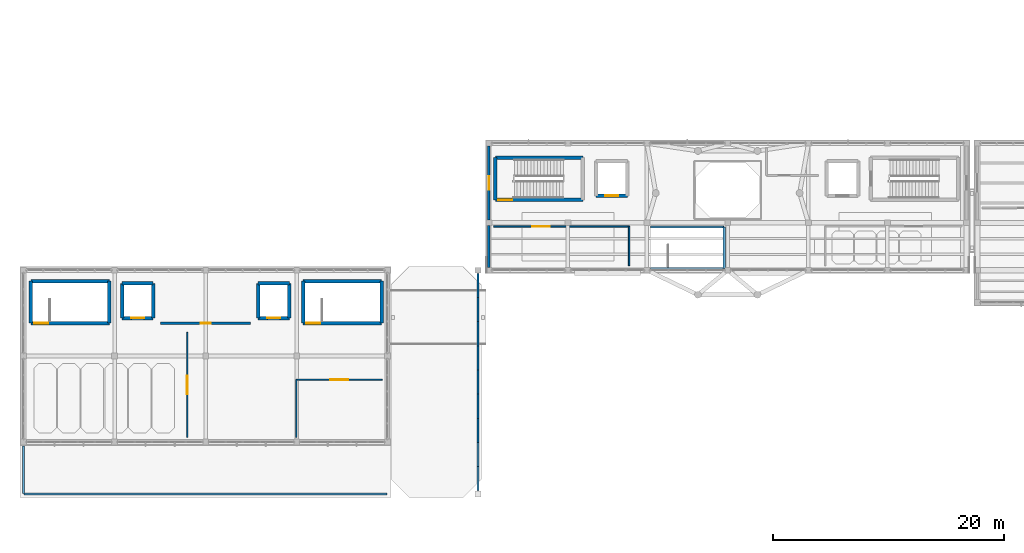
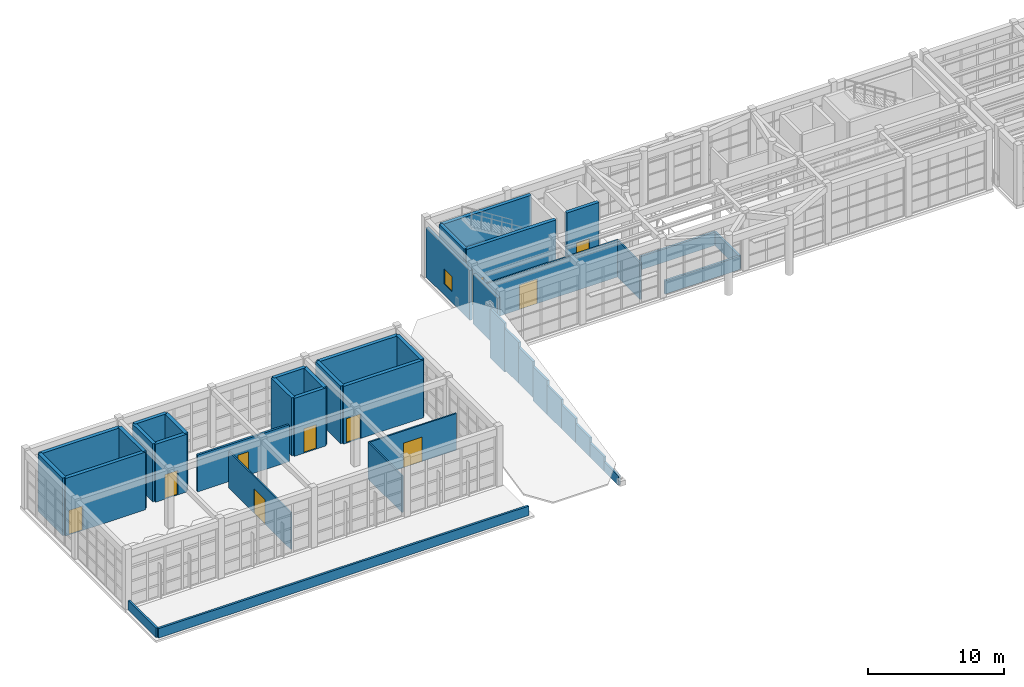
# One storey, part 90 of 103: 42 walls, 10 doors, 1 window, 11 openings.
"""IFC4 building model written with IfcOpenShell, lengths in metres."""

from ifc_helpers import new_model, si_unit, direction, frame, frame_2d, origin, place, context, subcontext, project, spatial, rectangle, extrude, material, layer, layer_set, type_object, element, fill, save


model = new_model("IFC4")

# Units and contexts
model_context = context("Model", 3, precision=1e-05, world=origin(), true_north=direction((0.0, 1.0)))
body_context = subcontext(model_context, "Body", "Model", "MODEL_VIEW")
ifc_project = project(units=[si_unit("LENGTHUNIT", "METRE"), si_unit("AREAUNIT", "SQUARE_METRE"), si_unit("VOLUMEUNIT", "CUBIC_METRE"), si_unit("PLANEANGLEUNIT", "RADIAN"), si_unit("MASSUNIT", "GRAM", prefix="KILO")], contexts=[model_context])

# Site, building, storey
site_placement = place(None, origin())
site = spatial("IfcSite", under=ifc_project, at=site_placement, CompositionType="ELEMENT")
building_placement = place(site_placement, origin())
building = spatial("IfcBuilding", under=site, at=building_placement, Name="Candilejo Ridge Gondola Terminal", CompositionType="ELEMENT")
storey_placement = place(building_placement, frame((0.0, 0.0, 9.0)))
storey = spatial("IfcBuildingStorey", under=building, at=storey_placement, Name="L02", CompositionType="ELEMENT", Elevation=9.0)

# Wall
ifc_material_1 = material(Name="Concrete C20/25 masonry blockwork (f'm 14 MPa)", Category="masonry")
ifc_layer_1 = layer(ifc_material_1, 0.219970703125)
ifc_layer_set_1 = layer_set([ifc_layer_1], Name="ARC-EXT-WALL-220")
wall_type_1 = type_object("IfcWallType", Name="ARC-EXT-WALL-220", PredefinedType="STANDARD", material=ifc_layer_set_1)
wall_1_placement = place(storey_placement, frame((44.64990234375, 25.949951171875, 0.0), z_axis=(0.0, 0.0, 1.0), x_axis=(0.0, 1.0, 0.0)))
element("IfcWall", 1, at=wall_1_placement, inside=storey, type_object=wall_type_1, Name="Exterior facade wall EW-V2-L02-044", PredefinedType="STANDARD", context=body_context, shape_type="SweptSolid", body=[
    extrude(rectangle(XDim=3.60009765625, YDim=0.219970703125, at=frame_2d((1.800048828125, 0.0))), origin(), (0.0, 0.0, 1.0), 4.47998046875),
])

# Wall, opening, window
wall_2_placement = place(storey_placement, frame((44.64990234375, 30.050048828125, 0.0), z_axis=(0.0, 0.0, 1.0), x_axis=(0.0, 1.0, 0.0)))
wall_2 = element("IfcWall", 2, at=wall_2_placement, inside=storey, type_object=wall_type_1, Name="Exterior facade wall EW-V2-L02-045", PredefinedType="STANDARD", context=body_context, shape_type="SweptSolid", body=[
    extrude(rectangle(XDim=6.39990234375, YDim=0.219970703125, at=frame_2d((3.199951171875, 0.0))), origin(), (0.0, 0.0, 1.0), 4.47998046875),
])
opening_1_placement = place(wall_2_placement, frame((2.60009765625, 0.0, 1.0)))
opening_1 = element("IfcOpeningElement", 3, at=opening_1_placement, cuts=wall_2, Name="Opening WN-04", PredefinedType="OPENING", context=body_context, shape_type="SweptSolid", body=[
    extrude(rectangle(XDim=1.199951171875, YDim=1.35009765625, at=frame_2d((0.60009765625, 0.675048828125))), frame((0.0, 0.119873046875, 0.0), z_axis=(0.0, -1.0, 0.0), x_axis=(1.0, 0.0, 0.0)), (0.0, 0.0, 1.0), 0.239990234375),
])
ifc_material_2 = material(Name="Low-E laminated double glazing 6+12A+6+1.52PVB+6 mm", Category="glass")
window_type = type_object("IfcWindowType", Name="ARC-WIN-1200X1350", PartitioningType="SINGLE_PANEL", PredefinedType="WINDOW", material=ifc_material_2)
window_placement = place(opening_1_placement, origin())
window = element("IfcWindow", 4, at=window_placement, inside=storey, type_object=window_type, Name="Window WIN-019", OverallHeight=1.35009765625, OverallWidth=1.199951171875, PartitioningType="SINGLE_PANEL", PredefinedType="WINDOW", context=body_context, shape_type="SweptSolid", body=[
    extrude(rectangle(XDim=1.199951171875, YDim=1.35009765625, at=frame_2d((0.60009765625, 0.675048828125))), frame((0.0, 0.030029296875, 0.0), z_axis=(0.0, -1.0, 0.0), x_axis=(1.0, 0.0, 0.0)), (0.0, 0.0, 1.0), 0.06005859375),
])
fill(opening_1, window)

# Walls
ifc_material_3 = material(Name="Concrete f'c 35 MPa (C35/45)", Category="concrete")
ifc_layer_2 = layer(ifc_material_3, 0.179931640625)
ifc_layer_set_2 = layer_set([ifc_layer_2], Name="ARC-PARAPET-WALL-180")
wall_type_2 = type_object("IfcWallType", Name="ARC-PARAPET-WALL-180", PredefinedType="PARAPET", material=ifc_layer_set_2)
wall_3_placement = place(storey_placement, frame((43.699951171875, 6.580078125, -0.25), z_axis=(0.0, 0.0, 1.0), x_axis=(0.0, 1.0, 0.0)))
element("IfcWall", 5, at=wall_3_placement, inside=storey, type_object=wall_type_2, Name="Roof perimeter gable/spandrel wall L02-021", PredefinedType="PARAPET", context=body_context, shape_type="SweptSolid", body=[
    extrude(rectangle(XDim=2.09326171875, YDim=0.179931640625, at=frame_2d((1.046630859375, 0.0))), origin(), (0.0, 0.0, 1.0), 0.834716796875),
])
wall_4_placement = place(storey_placement, frame((43.699951171875, 8.67333984375, -0.25), z_axis=(0.0, 0.0, 1.0), x_axis=(0.0, 1.0, 0.0)))
element("IfcWall", 6, at=wall_4_placement, inside=storey, type_object=wall_type_2, Name="Roof perimeter gable/spandrel wall L02-022", PredefinedType="PARAPET", context=body_context, shape_type="SweptSolid", body=[
    extrude(rectangle(XDim=2.09326171875, YDim=0.179931640625, at=frame_2d((1.046630859375, 0.0))), origin(), (0.0, 0.0, 1.0), 1.279541015625),
])
wall_5_placement = place(storey_placement, frame((43.699951171875, 10.7666015625, -0.25), z_axis=(0.0, 0.0, 1.0), x_axis=(0.0, 1.0, 0.0)))
element("IfcWall", 7, at=wall_5_placement, inside=storey, type_object=wall_type_2, Name="Roof perimeter gable/spandrel wall L02-023", PredefinedType="PARAPET", context=body_context, shape_type="SweptSolid", body=[
    extrude(rectangle(XDim=2.093505859375, YDim=0.179931640625, at=frame_2d((1.046875, 0.0))), origin(), (0.0, 0.0, 1.0), 1.724609375),
])
wall_6_placement = place(storey_placement, frame((43.699951171875, 12.860107421875, -0.25), z_axis=(0.0, 0.0, 1.0), x_axis=(0.0, 1.0, 0.0)))
element("IfcWall", 8, at=wall_6_placement, inside=storey, type_object=wall_type_2, Name="Roof perimeter gable/spandrel wall L02-024", PredefinedType="PARAPET", context=body_context, shape_type="SweptSolid", body=[
    extrude(rectangle(XDim=2.09326171875, YDim=0.179931640625, at=frame_2d((1.046630859375, 0.0))), origin(), (0.0, 0.0, 1.0), 2.16943359375),
])
wall_7_placement = place(storey_placement, frame((43.699951171875, 14.953369140625, -0.25), z_axis=(0.0, 0.0, 1.0), x_axis=(0.0, 1.0, 0.0)))
element("IfcWall", 9, at=wall_7_placement, inside=storey, type_object=wall_type_2, Name="Roof perimeter gable/spandrel wall L02-025", PredefinedType="PARAPET", context=body_context, shape_type="SweptSolid", body=[
    extrude(rectangle(XDim=2.09326171875, YDim=0.179931640625, at=frame_2d((1.046630859375, 0.0))), origin(), (0.0, 0.0, 1.0), 2.614501953125),
])
wall_8_placement = place(storey_placement, frame((43.699951171875, 17.046630859375, -0.25), z_axis=(0.0, 0.0, 1.0), x_axis=(0.0, 1.0, 0.0)))
element("IfcWall", 10, at=wall_8_placement, inside=storey, type_object=wall_type_2, Name="Roof perimeter gable/spandrel wall L02-026", PredefinedType="PARAPET", context=body_context, shape_type="SweptSolid", body=[
    extrude(rectangle(XDim=2.09326171875, YDim=0.179931640625, at=frame_2d((1.046630859375, 0.0))), origin(), (0.0, 0.0, 1.0), 3.059326171875),
])
wall_9_placement = place(storey_placement, frame((43.699951171875, 19.139892578125, 0.0), z_axis=(0.0, 0.0, 1.0), x_axis=(0.0, 1.0, 0.0)))
element("IfcWall", 11, at=wall_9_placement, inside=storey, type_object=wall_type_2, Name="Roof perimeter gable/spandrel wall L02-027", PredefinedType="PARAPET", context=body_context, shape_type="SweptSolid", body=[
    extrude(rectangle(XDim=2.093505859375, YDim=0.179931640625, at=frame_2d((1.046875, 0.0))), origin(), (0.0, 0.0, 1.0), 3.25439453125),
])
wall_10_placement = place(storey_placement, frame((43.699951171875, 21.2333984375, 0.0), z_axis=(0.0, 0.0, 1.0), x_axis=(0.0, 1.0, 0.0)))
element("IfcWall", 12, at=wall_10_placement, inside=storey, type_object=wall_type_2, Name="Roof perimeter gable/spandrel wall L02-028", PredefinedType="PARAPET", context=body_context, shape_type="SweptSolid", body=[
    extrude(rectangle(XDim=2.09326171875, YDim=0.179931640625, at=frame_2d((1.046630859375, 0.0))), origin(), (0.0, 0.0, 1.0), 3.69921875),
])
wall_11_placement = place(storey_placement, frame((43.699951171875, 23.32666015625, -0.25), z_axis=(0.0, 0.0, 1.0), x_axis=(0.0, 1.0, 0.0)))
element("IfcWall", 13, at=wall_11_placement, inside=storey, type_object=wall_type_2, Name="Roof perimeter gable/spandrel wall L02-029", PredefinedType="PARAPET", context=body_context, shape_type="SweptSolid", body=[
    extrude(rectangle(XDim=2.09326171875, YDim=0.179931640625, at=frame_2d((1.046630859375, 0.0))), origin(), (0.0, 0.0, 1.0), 4.394287109375),
])
wall_12_placement = place(storey_placement, frame((4.35009765625, 6.300048828125, 0.0), z_axis=(0.0, 0.0, 1.0), x_axis=(1.0, 0.0, 0.0)))
element("IfcWall", 14, at=wall_12_placement, inside=storey, type_object=wall_type_2, Name="Roof perimeter gable/spandrel wall L02-174", PredefinedType="PARAPET", context=body_context, shape_type="SweptSolid", body=[
    extrude(rectangle(XDim=31.449951171875, YDim=0.179931640625, at=frame_2d((15.72509765625, 0.0))), origin(), (0.0, 0.0, 1.0), 0.85009765625),
])
wall_13_placement = place(storey_placement, frame((4.300048828125, 6.35009765625, 0.0), z_axis=(0.0, 0.0, 1.0), x_axis=(0.0, 1.0, 0.0)))
element("IfcWall", 15, at=wall_13_placement, inside=storey, type_object=wall_type_2, Name="Roof perimeter gable/spandrel wall L02-175", PredefinedType="PARAPET", context=body_context, shape_type="SweptSolid", body=[
    extrude(rectangle(XDim=4.099853515625, YDim=0.179931640625, at=frame_2d((2.0498046875, 0.0))), origin(), (0.0, 0.0, 1.0), 0.85009765625),
])
wall_14_placement = place(storey_placement, frame((58.64990234375, 25.85009765625, 0.0), z_axis=(0.0, 0.0, 1.0), x_axis=(1.0, 0.0, 0.0)))
element("IfcWall", 16, at=wall_14_placement, inside=storey, type_object=wall_type_2, Name="Public stair enclosure wall ST-P02 L02-S", PredefinedType="PARAPET", context=body_context, shape_type="SweptSolid", body=[
    extrude(rectangle(XDim=6.400146484375, YDim=0.179931640625, at=frame_2d((3.2001953125, 0.0))), origin(), (0.0, 0.0, 1.0), 1.199951171875),
])
wall_15_placement = place(storey_placement, frame((65.050048828125, 25.85009765625, 0.0), z_axis=(0.0, 0.0, 1.0), x_axis=(0.0, 1.0, 0.0)))
element("IfcWall", 17, at=wall_15_placement, inside=storey, type_object=wall_type_2, Name="Public stair enclosure wall ST-P02 L02-E", PredefinedType="PARAPET", context=body_context, shape_type="SweptSolid", body=[
    extrude(rectangle(XDim=3.599853515625, YDim=0.179931640625, at=frame_2d((1.7998046875, 0.0))), origin(), (0.0, 0.0, 1.0), 1.199951171875),
])
wall_16_placement = place(storey_placement, frame((58.64990234375, 29.449951171875, 0.0), z_axis=(0.0, 0.0, 1.0), x_axis=(1.0, 0.0, 0.0)))
element("IfcWall", 18, at=wall_16_placement, inside=storey, type_object=wall_type_2, Name="Public stair enclosure wall ST-P02 L02-N", PredefinedType="PARAPET", context=body_context, shape_type="SweptSolid", body=[
    extrude(rectangle(XDim=6.400146484375, YDim=0.179931640625, at=frame_2d((3.2001953125, 0.0))), origin(), (0.0, 0.0, 1.0), 1.199951171875),
])

# Wall, opening, door
ifc_material_4 = material(Name="Gypsum board Type X acoustic partition (2x15.9 mm)", Category="gypsum")
ifc_layer_3 = layer(ifc_material_4, 0.125)
ifc_layer_set_3 = layer_set([ifc_layer_3], Name="ARC-PART-GYP125")
wall_type_3 = type_object("IfcWallType", Name="ARC-PART-GYP125", PredefinedType="PARTITIONING", material=ifc_layer_set_3)
wall_17_placement = place(storey_placement, frame((18.5, 11.199951171875, 0.0), z_axis=(0.0, 0.0, 1.0), x_axis=(0.0, 1.0, 0.0)))
wall_17 = element("IfcWall", 19, at=wall_17_placement, inside=storey, type_object=wall_type_3, Name="Interior partition PT-V1-L02-0071", PredefinedType="PARTITIONING", context=body_context, shape_type="SweptSolid", body=[
    extrude(rectangle(XDim=9.10009765625, YDim=0.125, at=frame_2d((4.550048828125, 0.0))), origin(), (0.0, 0.0, 1.0), 3.300048828125),
])
opening_2_placement = place(wall_17_placement, frame((3.75, 0.0, 0.0)))
opening_2 = element("IfcOpeningElement", 20, at=opening_2_placement, cuts=wall_17, Name="Opening ID-03", PredefinedType="OPENING", context=body_context, shape_type="SweptSolid", body=[
    extrude(rectangle(XDim=1.60009765625, YDim=2.199951171875, at=frame_2d((0.800048828125, 1.10009765625))), frame((0.0, 0.072509765625, 0.0), z_axis=(0.0, -1.0, 0.0), x_axis=(1.0, 0.0, 0.0)), (0.0, 0.0, 1.0), 0.14501953125),
])
ifc_material_5 = material(Name="Solid-core fire-rated hardwood door leaf", Category="wood")
door_type_1 = type_object("IfcDoorType", Name="ARC-DOOR-DBL-1600", OperationType="NOTDEFINED", PredefinedType="DOOR", material=ifc_material_5)
door_1_placement = place(opening_2_placement, origin())
door_1 = element("IfcDoor", 21, at=door_1_placement, inside=storey, type_object=door_type_1, Name="Interior door IDR-0040 (201)", OperationType="DOUBLE_DOOR_SINGLE_SWING", OverallHeight=2.199951171875, OverallWidth=1.60009765625, PredefinedType="DOOR", context=body_context, shape_type="SweptSolid", body=[
    extrude(rectangle(XDim=1.60009765625, YDim=2.199951171875, at=frame_2d((0.800048828125, 1.10009765625))), frame((0.0, 0.02490234375, 0.0), z_axis=(0.0, -1.0, 0.0), x_axis=(1.0, 0.0, 0.0)), (0.0, 0.0, 1.0), 0.050048828125),
])
fill(opening_2, door_1)

wall_18_placement = place(storey_placement, frame((27.949951171875, 16.199951171875, 0.0), z_axis=(0.0, 0.0, 1.0), x_axis=(1.0, 0.0, 0.0)))
wall_18 = element("IfcWall", 22, at=wall_18_placement, inside=storey, type_object=wall_type_3, Name="Interior partition PT-V1-L02-0072", PredefinedType="PARTITIONING", context=body_context, shape_type="SweptSolid", body=[
    extrude(rectangle(XDim=7.449951171875, YDim=0.125, at=frame_2d((3.72509765625, 0.0))), origin(), (0.0, 0.0, 1.0), 3.300048828125),
])
opening_3_placement = place(wall_18_placement, frame((2.925048828125, 0.0, 0.0)))
opening_3 = element("IfcOpeningElement", 23, at=opening_3_placement, cuts=wall_18, Name="Opening ID-03", PredefinedType="OPENING", context=body_context, shape_type="SweptSolid", body=[
    extrude(rectangle(XDim=1.60009765625, YDim=2.199951171875, at=frame_2d((0.800048828125, 1.10009765625))), frame((0.0, 0.072509765625, 0.0), z_axis=(0.0, -1.0, 0.0), x_axis=(1.0, 0.0, 0.0)), (0.0, 0.0, 1.0), 0.14501953125),
])
door_2_placement = place(opening_3_placement, origin())
door_2 = element("IfcDoor", 24, at=door_2_placement, inside=storey, type_object=door_type_1, Name="Interior door IDR-0041 (203)", OperationType="DOUBLE_DOOR_SINGLE_SWING", OverallHeight=2.199951171875, OverallWidth=1.60009765625, PredefinedType="DOOR", context=body_context, shape_type="SweptSolid", body=[
    extrude(rectangle(XDim=1.60009765625, YDim=2.199951171875, at=frame_2d((0.800048828125, 1.10009765625))), frame((0.0, 0.02490234375, 0.0), z_axis=(0.0, -1.0, 0.0), x_axis=(1.0, 0.0, 0.0)), (0.0, 0.0, 1.0), 0.050048828125),
])
fill(opening_3, door_2)

# Wall
wall_19_placement = place(storey_placement, frame((27.949951171875, 11.199951171875, 0.0), z_axis=(0.0, 0.0, 1.0), x_axis=(0.0, 1.0, 0.0)))
element("IfcWall", 25, at=wall_19_placement, inside=storey, type_object=wall_type_3, Name="Interior partition PT-V1-L02-0073", PredefinedType="PARTITIONING", context=body_context, shape_type="SweptSolid", body=[
    extrude(rectangle(XDim=5.0, YDim=0.125, at=frame_2d((2.5, 0.0))), origin(), (0.0, 0.0, 1.0), 3.300048828125),
])

# Wall, opening, door
ifc_material_6 = material(Name="Gypsum board Type X acoustic partition (2x15.9 mm)", Category="gypsum")
ifc_layer_4 = layer(ifc_material_6, 0.135009765625)
ifc_layer_set_4 = layer_set([ifc_layer_4], Name="ARC-PART-GYP135")
wall_type_4 = type_object("IfcWallType", Name="ARC-PART-GYP135", PredefinedType="PARTITIONING", material=ifc_layer_set_4)
wall_20_placement = place(storey_placement, frame((45.050048828125, 29.5, 0.0), z_axis=(0.0, 0.0, 1.0), x_axis=(1.0, 0.0, 0.0)))
wall_20 = element("IfcWall", 26, at=wall_20_placement, inside=storey, type_object=wall_type_4, Name="Interior partition PT-V2-L02-0075", PredefinedType="PARTITIONING", context=body_context, shape_type="SweptSolid", body=[
    extrude(rectangle(XDim=11.75, YDim=0.135009765625, at=frame_2d((5.875, 0.0))), origin(), (0.0, 0.0, 1.0), 3.300048828125),
])
opening_4_placement = place(wall_20_placement, frame((3.375, 0.0, 0.0)))
opening_4 = element("IfcOpeningElement", 27, at=opening_4_placement, cuts=wall_20, Name="Opening ID-03B", PredefinedType="OPENING", context=body_context, shape_type="SweptSolid", body=[
    extrude(rectangle(XDim=1.5, YDim=2.199951171875, at=frame_2d((0.75, 1.10009765625))), frame((0.0, 0.077392578125, 0.0), z_axis=(0.0, -1.0, 0.0), x_axis=(1.0, 0.0, 0.0)), (0.0, 0.0, 1.0), 0.155029296875),
])
ifc_material_7 = material(Name="Solid-core fire-rated hardwood door leaf", Category="wood")
door_type_2 = type_object("IfcDoorType", Name="ARC-DOOR-DBL-1500", OperationType="NOTDEFINED", PredefinedType="DOOR", material=ifc_material_7)
door_3_placement = place(opening_4_placement, origin())
door_3 = element("IfcDoor", 28, at=door_3_placement, inside=storey, type_object=door_type_2, Name="Interior door IDR-0043 (205)", OperationType="DOUBLE_DOOR_SINGLE_SWING", OverallHeight=2.199951171875, OverallWidth=1.5, PredefinedType="DOOR", context=body_context, shape_type="SweptSolid", body=[
    extrude(rectangle(XDim=1.5, YDim=2.199951171875, at=frame_2d((0.75, 1.10009765625))), frame((0.0, 0.02490234375, 0.0), z_axis=(0.0, -1.0, 0.0), x_axis=(1.0, 0.0, 0.0)), (0.0, 0.0, 1.0), 0.050048828125),
])
fill(opening_4, door_3)

# Wall
wall_21_placement = place(storey_placement, frame((56.800048828125, 26.10009765625, 0.0), z_axis=(0.0, 0.0, 1.0), x_axis=(0.0, 1.0, 0.0)))
element("IfcWall", 29, at=wall_21_placement, inside=storey, type_object=wall_type_4, Name="Interior partition PT-V2-L02-0076", PredefinedType="PARTITIONING", context=body_context, shape_type="SweptSolid", body=[
    extrude(rectangle(XDim=3.39990234375, YDim=0.135009765625, at=frame_2d((1.699951171875, 0.0))), origin(), (0.0, 0.0, 1.0), 3.300048828125),
])

# Wall, opening, door
ifc_material_8 = material(Name="Concrete C20/25 masonry blockwork (f'm 14 MPa)", Category="masonry")
ifc_layer_5 = layer(ifc_material_8, 0.179931640625)
ifc_layer_set_5 = layer_set([ifc_layer_5], Name="ARC-WALL-PLUMBING-180")
wall_type_5 = type_object("IfcWallType", Name="ARC-WALL-PLUMBING-180", PredefinedType="PLUMBINGWALL", material=ifc_layer_set_5)
wall_22_placement = place(storey_placement, frame((16.199951171875, 21.10009765625, 0.0), z_axis=(0.0, 0.0, 1.0), x_axis=(1.0, 0.0, 0.0)))
wall_22 = element("IfcWall", 30, at=wall_22_placement, inside=storey, type_object=wall_type_5, Name="Interior partition PT-V1-L02-0074", PredefinedType="PLUMBINGWALL", context=body_context, shape_type="SweptSolid", body=[
    extrude(rectangle(XDim=7.800048828125, YDim=0.179931640625, at=frame_2d((3.89990234375, 0.0))), origin(), (0.0, 0.0, 1.0), 3.300048828125),
])
opening_5_placement = place(wall_22_placement, frame((3.449951171875, 0.0, 0.0)))
opening_5 = element("IfcOpeningElement", 31, at=opening_5_placement, cuts=wall_22, Name="Opening ID-04", PredefinedType="OPENING", context=body_context, shape_type="SweptSolid", body=[
    extrude(rectangle(XDim=0.89990234375, YDim=2.10009765625, at=frame_2d((0.449951171875, 1.050048828125))), frame((0.0, 0.099853515625, 0.0), z_axis=(0.0, -1.0, 0.0), x_axis=(1.0, 0.0, 0.0)), (0.0, 0.0, 1.0), 0.199951171875),
])
ifc_material_9 = material(Name="Solid-core fire-rated hardwood door leaf", Category="wood")
door_type_3 = type_object("IfcDoorType", Name="ARC-DOOR-WC-0900", OperationType="NOTDEFINED", PredefinedType="DOOR", material=ifc_material_9)
door_4_placement = place(opening_5_placement, origin())
door_4 = element("IfcDoor", 32, at=door_4_placement, inside=storey, type_object=door_type_3, Name="Interior door IDR-0042 (204)", OperationType="SINGLE_SWING_RIGHT", OverallHeight=2.10009765625, OverallWidth=0.89990234375, PredefinedType="DOOR", context=body_context, shape_type="SweptSolid", body=[
    extrude(rectangle(XDim=0.89990234375, YDim=2.10009765625, at=frame_2d((0.449951171875, 1.050048828125))), frame((0.0, 0.02490234375, 0.0), z_axis=(0.0, -1.0, 0.0), x_axis=(1.0, 0.0, 0.0)), (0.0, 0.0, 1.0), 0.050048828125),
])
fill(opening_5, door_4)

ifc_material_10 = material(Name="Concrete f'c 35 MPa (C35/45)", Category="concrete")
ifc_layer_6 = layer(ifc_material_10, 0.300048828125)
ifc_layer_set_6 = layer_set([ifc_layer_6], Name="STR-CORE-WALL-300")
wall_type_6 = type_object("IfcWallType", Name="STR-CORE-WALL-300", PredefinedType="SHEAR", material=ifc_layer_set_6)
wall_23_placement = place(storey_placement, frame((4.949951171875, 21.10009765625, 0.0), z_axis=(0.0, 0.0, 1.0), x_axis=(1.0, 0.0, 0.0)))
wall_23 = element("IfcWall", 33, at=wall_23_placement, inside=storey, type_object=wall_type_6, Name="Core stair shear wall SW-C-V1A-L02-ST-S", PredefinedType="SHEAR", context=body_context, shape_type="SweptSolid", body=[
    extrude(rectangle(XDim=6.800048828125, YDim=0.300048828125, at=frame_2d((3.39990234375, 0.0))), origin(), (0.0, 0.0, 1.0), 5.175048828125),
])
opening_6_placement = place(wall_23_placement, frame((0.280029296875, 0.0, 0.0)))
opening_6 = element("IfcOpeningElement", 34, at=opening_6_placement, cuts=wall_23, Name="Opening FD-01", PredefinedType="OPENING", context=body_context, shape_type="SweptSolid", body=[
    extrude(rectangle(XDim=1.199951171875, YDim=2.199951171875, at=frame_2d((0.60009765625, 1.10009765625))), frame((0.0, 0.159912109375, 0.0), z_axis=(0.0, -1.0, 0.0), x_axis=(1.0, 0.0, 0.0)), (0.0, 0.0, 1.0), 0.320068359375),
])
ifc_material_11 = material(Name="Steel ASTM A653 Grade 33 hollow-metal door", Category="steel")
door_type_4 = type_object("IfcDoorType", Name="ARC-DOOR-FD90-1200", OperationType="NOTDEFINED", PredefinedType="DOOR", material=ifc_material_11)
door_5_placement = place(opening_6_placement, origin())
door_5 = element("IfcDoor", 35, at=door_5_placement, inside=storey, type_object=door_type_4, Name="Fire stair door SDR-003", OperationType="SINGLE_SWING_LEFT", OverallHeight=2.199951171875, OverallWidth=1.199951171875, PredefinedType="DOOR", context=body_context, shape_type="SweptSolid", body=[
    extrude(rectangle(XDim=1.199951171875, YDim=2.199951171875, at=frame_2d((0.60009765625, 1.10009765625))), frame((0.0, 0.02490234375, 0.0), z_axis=(0.0, -1.0, 0.0), x_axis=(1.0, 0.0, 0.0)), (0.0, 0.0, 1.0), 0.050048828125),
])
fill(opening_6, door_5)

# Walls
wall_24_placement = place(storey_placement, frame((11.75, 24.75, 0.0), z_axis=(0.0, 0.0, 1.0), x_axis=(-1.0, 0.0, 0.0)))
element("IfcWall", 36, at=wall_24_placement, inside=storey, type_object=wall_type_6, Name="Core stair shear wall SW-C-V1A-L02-ST-N", PredefinedType="SHEAR", context=body_context, shape_type="SweptSolid", body=[
    extrude(rectangle(XDim=6.800048828125, YDim=0.300048828125, at=frame_2d((3.39990234375, 0.0))), origin(), (0.0, 0.0, 1.0), 5.175048828125),
])
for number, where, z_axis, x_axis, name in (
    (37, (4.949951171875, 24.75, 0.0), (0.0, 0.0, 1.0), (0.0, -1.0, 0.0), "Core stair shear wall SW-C-V1A-L02-ST-W"),
    (38, (11.75, 21.10009765625, 0.0), (0.0, 0.0, 1.0), (0.0, 1.0, 0.0), "Core stair shear wall SW-C-V1A-L02-ST-E"),
):
    element("IfcWall", number, at=place(storey_placement, frame(where, z_axis=z_axis, x_axis=x_axis)), inside=storey, type_object=wall_type_6, Name=name, PredefinedType="SHEAR", context=body_context, shape_type="SweptSolid", body=[
        extrude(rectangle(XDim=3.64990234375, YDim=0.300048828125, at=frame_2d((1.824951171875, 0.0))), origin(), (0.0, 0.0, 1.0), 5.175048828125),
    ])

# Wall, opening, door
wall_25_placement = place(storey_placement, frame((12.85009765625, 21.550048828125, 0.0), z_axis=(0.0, 0.0, 1.0), x_axis=(1.0, 0.0, 0.0)))
wall_25 = element("IfcWall", 39, at=wall_25_placement, inside=storey, type_object=wall_type_6, Name="Lift shaft shear wall SW-C-V1A-L02-LF-S", PredefinedType="SHEAR", context=body_context, shape_type="SweptSolid", body=[
    extrude(rectangle(XDim=2.699951171875, YDim=0.300048828125, at=frame_2d((1.35009765625, 0.0))), origin(), (0.0, 0.0, 1.0), 5.205078125),
])
opening_7_placement = place(wall_25_placement, frame((0.800048828125, 0.0, 0.0)))
opening_7 = element("IfcOpeningElement", 40, at=opening_7_placement, cuts=wall_25, Name="Opening LD-01", PredefinedType="OPENING", context=body_context, shape_type="SweptSolid", body=[
    extrude(rectangle(XDim=1.10009765625, YDim=2.199951171875, at=frame_2d((0.550048828125, 1.10009765625))), frame((0.0, 0.159912109375, 0.0), z_axis=(0.0, -1.0, 0.0), x_axis=(1.0, 0.0, 0.0)), (0.0, 0.0, 1.0), 0.320068359375),
])
ifc_material_12 = material(Name="Brushed stainless steel AISI 316", Category="steel")
door_type_5 = type_object("IfcDoorType", Name="ARC-LIFT-DOOR-1100", OperationType="NOTDEFINED", PredefinedType="DOOR", material=ifc_material_12)
door_6_placement = place(opening_7_placement, origin())
door_6 = element("IfcDoor", 41, at=door_6_placement, inside=storey, type_object=door_type_5, Name="Elevator landing door LDR-003", OperationType="SLIDING_TO_LEFT", OverallHeight=2.199951171875, OverallWidth=1.10009765625, PredefinedType="DOOR", context=body_context, shape_type="SweptSolid", body=[
    extrude(rectangle(XDim=1.10009765625, YDim=2.199951171875, at=frame_2d((0.550048828125, 1.10009765625))), frame((0.0, 0.02490234375, 0.0), z_axis=(0.0, -1.0, 0.0), x_axis=(1.0, 0.0, 0.0)), (0.0, 0.0, 1.0), 0.050048828125),
])
fill(opening_7, door_6)

# Walls
wall_26_placement = place(storey_placement, frame((12.85009765625, 24.550048828125, 0.0), z_axis=(0.0, 0.0, 1.0), x_axis=(1.0, 0.0, 0.0)))
element("IfcWall", 42, at=wall_26_placement, inside=storey, type_object=wall_type_6, Name="Lift shaft shear wall SW-C-V1A-L02-LF-N", PredefinedType="SHEAR", context=body_context, shape_type="SweptSolid", body=[
    extrude(rectangle(XDim=2.699951171875, YDim=0.300048828125, at=frame_2d((1.35009765625, 0.0))), origin(), (0.0, 0.0, 1.0), 5.205078125),
])
for number, where, z_axis, x_axis, name in (
    (43, (12.85009765625, 21.550048828125, 0.0), (0.0, 0.0, 1.0), (0.0, 1.0, 0.0), "Lift shaft shear wall SW-C-V1A-L02-LF-W"),
    (44, (15.550048828125, 21.550048828125, 0.0), (0.0, 0.0, 1.0), (0.0, 1.0, 0.0), "Lift shaft shear wall SW-C-V1A-L02-LF-E"),
):
    element("IfcWall", number, at=place(storey_placement, frame(where, z_axis=z_axis, x_axis=x_axis)), inside=storey, type_object=wall_type_6, Name=name, PredefinedType="SHEAR", context=body_context, shape_type="SweptSolid", body=[
        extrude(rectangle(XDim=3.0, YDim=0.300048828125, at=frame_2d((1.5, 0.0))), origin(), (0.0, 0.0, 1.0), 5.205078125),
    ])

# Wall, opening, door
wall_27_placement = place(storey_placement, frame((28.550048828125, 21.10009765625, 0.0), z_axis=(0.0, 0.0, 1.0), x_axis=(1.0, 0.0, 0.0)))
wall_27 = element("IfcWall", 45, at=wall_27_placement, inside=storey, type_object=wall_type_6, Name="Core stair shear wall SW-C-V1B-L02-ST-S", PredefinedType="SHEAR", context=body_context, shape_type="SweptSolid", body=[
    extrude(rectangle(XDim=6.800048828125, YDim=0.300048828125, at=frame_2d((3.39990234375, 0.0))), origin(), (0.0, 0.0, 1.0), 5.175048828125),
])
opening_8_placement = place(wall_27_placement, frame((0.280029296875, 0.0, 0.0)))
opening_8 = element("IfcOpeningElement", 46, at=opening_8_placement, cuts=wall_27, Name="Opening FD-01", PredefinedType="OPENING", context=body_context, shape_type="SweptSolid", body=[
    extrude(rectangle(XDim=1.199951171875, YDim=2.199951171875, at=frame_2d((0.60009765625, 1.10009765625))), frame((0.0, 0.159912109375, 0.0), z_axis=(0.0, -1.0, 0.0), x_axis=(1.0, 0.0, 0.0)), (0.0, 0.0, 1.0), 0.320068359375),
])
door_7_placement = place(opening_8_placement, origin())
door_7 = element("IfcDoor", 47, at=door_7_placement, inside=storey, type_object=door_type_4, Name="Fire stair door SDR-006", OperationType="SINGLE_SWING_RIGHT", OverallHeight=2.199951171875, OverallWidth=1.199951171875, PredefinedType="DOOR", context=body_context, shape_type="SweptSolid", body=[
    extrude(rectangle(XDim=1.199951171875, YDim=2.199951171875, at=frame_2d((0.60009765625, 1.10009765625))), frame((0.0, 0.02490234375, 0.0), z_axis=(0.0, -1.0, 0.0), x_axis=(1.0, 0.0, 0.0)), (0.0, 0.0, 1.0), 0.050048828125),
])
fill(opening_8, door_7)

# Walls
wall_28_placement = place(storey_placement, frame((35.35009765625, 24.75, 0.0), z_axis=(0.0, 0.0, 1.0), x_axis=(-1.0, 0.0, 0.0)))
element("IfcWall", 48, at=wall_28_placement, inside=storey, type_object=wall_type_6, Name="Core stair shear wall SW-C-V1B-L02-ST-N", PredefinedType="SHEAR", context=body_context, shape_type="SweptSolid", body=[
    extrude(rectangle(XDim=6.800048828125, YDim=0.300048828125, at=frame_2d((3.39990234375, 0.0))), origin(), (0.0, 0.0, 1.0), 5.175048828125),
])
for number, where, z_axis, x_axis, name in (
    (49, (28.550048828125, 24.75, 0.0), (0.0, 0.0, 1.0), (0.0, -1.0, 0.0), "Core stair shear wall SW-C-V1B-L02-ST-W"),
    (50, (35.35009765625, 21.10009765625, 0.0), (0.0, 0.0, 1.0), (0.0, 1.0, 0.0), "Core stair shear wall SW-C-V1B-L02-ST-E"),
):
    element("IfcWall", number, at=place(storey_placement, frame(where, z_axis=z_axis, x_axis=x_axis)), inside=storey, type_object=wall_type_6, Name=name, PredefinedType="SHEAR", context=body_context, shape_type="SweptSolid", body=[
        extrude(rectangle(XDim=3.64990234375, YDim=0.300048828125, at=frame_2d((1.824951171875, 0.0))), origin(), (0.0, 0.0, 1.0), 5.175048828125),
    ])

# Wall, opening, door
wall_29_placement = place(storey_placement, frame((24.64990234375, 21.550048828125, 0.0), z_axis=(0.0, 0.0, 1.0), x_axis=(1.0, 0.0, 0.0)))
wall_29 = element("IfcWall", 51, at=wall_29_placement, inside=storey, type_object=wall_type_6, Name="Lift shaft shear wall SW-C-V1B-L02-LF-S", PredefinedType="SHEAR", context=body_context, shape_type="SweptSolid", body=[
    extrude(rectangle(XDim=2.7001953125, YDim=0.300048828125, at=frame_2d((1.35009765625, 0.0))), origin(), (0.0, 0.0, 1.0), 5.205078125),
])
opening_9_placement = place(wall_29_placement, frame((0.800048828125, 0.0, 0.0)))
opening_9 = element("IfcOpeningElement", 52, at=opening_9_placement, cuts=wall_29, Name="Opening LD-01", PredefinedType="OPENING", context=body_context, shape_type="SweptSolid", body=[
    extrude(rectangle(XDim=1.10009765625, YDim=2.199951171875, at=frame_2d((0.550048828125, 1.10009765625))), frame((0.0, 0.159912109375, 0.0), z_axis=(0.0, -1.0, 0.0), x_axis=(1.0, 0.0, 0.0)), (0.0, 0.0, 1.0), 0.320068359375),
])
door_8_placement = place(opening_9_placement, origin())
door_8 = element("IfcDoor", 53, at=door_8_placement, inside=storey, type_object=door_type_5, Name="Elevator landing door LDR-006", OperationType="SLIDING_TO_LEFT", OverallHeight=2.199951171875, OverallWidth=1.10009765625, PredefinedType="DOOR", context=body_context, shape_type="SweptSolid", body=[
    extrude(rectangle(XDim=1.10009765625, YDim=2.199951171875, at=frame_2d((0.550048828125, 1.10009765625))), frame((0.0, 0.02490234375, 0.0), z_axis=(0.0, -1.0, 0.0), x_axis=(1.0, 0.0, 0.0)), (0.0, 0.0, 1.0), 0.050048828125),
])
fill(opening_9, door_8)

# Walls
wall_30_placement = place(storey_placement, frame((24.64990234375, 24.550048828125, 0.0), z_axis=(0.0, 0.0, 1.0), x_axis=(1.0, 0.0, 0.0)))
element("IfcWall", 54, at=wall_30_placement, inside=storey, type_object=wall_type_6, Name="Lift shaft shear wall SW-C-V1B-L02-LF-N", PredefinedType="SHEAR", context=body_context, shape_type="SweptSolid", body=[
    extrude(rectangle(XDim=2.7001953125, YDim=0.300048828125, at=frame_2d((1.35009765625, 0.0))), origin(), (0.0, 0.0, 1.0), 5.205078125),
])
for number, where, z_axis, x_axis, name in (
    (55, (24.64990234375, 21.550048828125, 0.0), (0.0, 0.0, 1.0), (0.0, 1.0, 0.0), "Lift shaft shear wall SW-C-V1B-L02-LF-W"),
    (56, (27.35009765625, 21.550048828125, 0.0), (0.0, 0.0, 1.0), (0.0, 1.0, 0.0), "Lift shaft shear wall SW-C-V1B-L02-LF-E"),
):
    element("IfcWall", number, at=place(storey_placement, frame(where, z_axis=z_axis, x_axis=x_axis)), inside=storey, type_object=wall_type_6, Name=name, PredefinedType="SHEAR", context=body_context, shape_type="SweptSolid", body=[
        extrude(rectangle(XDim=3.0, YDim=0.300048828125, at=frame_2d((1.5, 0.0))), origin(), (0.0, 0.0, 1.0), 5.205078125),
    ])

# Wall, opening, door
wall_31_placement = place(storey_placement, frame((45.199951171875, 31.800048828125, 0.0), z_axis=(0.0, 0.0, 1.0), x_axis=(1.0, 0.0, 0.0)))
wall_31 = element("IfcWall", 57, at=wall_31_placement, inside=storey, type_object=wall_type_6, Name="Core stair shear wall SW-C-V2A-L02-ST-S", PredefinedType="SHEAR", context=body_context, shape_type="SweptSolid", body=[
    extrude(rectangle(XDim=7.60009765625, YDim=0.300048828125, at=frame_2d((3.800048828125, 0.0))), origin(), (0.0, 0.0, 1.0), 5.175048828125),
])
opening_10_placement = place(wall_31_placement, frame((0.280029296875, 0.0, 0.0)))
opening_10 = element("IfcOpeningElement", 58, at=opening_10_placement, cuts=wall_31, Name="Opening FD-01", PredefinedType="OPENING", context=body_context, shape_type="SweptSolid", body=[
    extrude(rectangle(XDim=1.199951171875, YDim=2.199951171875, at=frame_2d((0.60009765625, 1.10009765625))), frame((0.0, 0.159912109375, 0.0), z_axis=(0.0, -1.0, 0.0), x_axis=(1.0, 0.0, 0.0)), (0.0, 0.0, 1.0), 0.320068359375),
])
door_9_placement = place(opening_10_placement, origin())
door_9 = element("IfcDoor", 59, at=door_9_placement, inside=storey, type_object=door_type_4, Name="Fire stair door SDR-009", OperationType="SINGLE_SWING_LEFT", OverallHeight=2.199951171875, OverallWidth=1.199951171875, PredefinedType="DOOR", context=body_context, shape_type="SweptSolid", body=[
    extrude(rectangle(XDim=1.199951171875, YDim=2.199951171875, at=frame_2d((0.60009765625, 1.10009765625))), frame((0.0, 0.02490234375, 0.0), z_axis=(0.0, -1.0, 0.0), x_axis=(1.0, 0.0, 0.0)), (0.0, 0.0, 1.0), 0.050048828125),
])
fill(opening_10, door_9)

# Walls
wall_32_placement = place(storey_placement, frame((52.800048828125, 35.449951171875, 0.0), z_axis=(0.0, 0.0, 1.0), x_axis=(-1.0, 0.0, 0.0)))
element("IfcWall", 60, at=wall_32_placement, inside=storey, type_object=wall_type_6, Name="Core stair shear wall SW-C-V2A-L02-ST-N", PredefinedType="SHEAR", context=body_context, shape_type="SweptSolid", body=[
    extrude(rectangle(XDim=7.60009765625, YDim=0.300048828125, at=frame_2d((3.800048828125, 0.0))), origin(), (0.0, 0.0, 1.0), 5.175048828125),
])
wall_33_placement = place(storey_placement, frame((45.199951171875, 35.449951171875, 0.0), z_axis=(0.0, 0.0, 1.0), x_axis=(0.0, -1.0, 0.0)))
element("IfcWall", 61, at=wall_33_placement, inside=storey, type_object=wall_type_6, Name="Core stair shear wall SW-C-V2A-L02-ST-W", PredefinedType="SHEAR", context=body_context, shape_type="SweptSolid", body=[
    extrude(rectangle(XDim=3.64990234375, YDim=0.300048828125, at=frame_2d((1.824951171875, 0.0))), origin(), (0.0, 0.0, 1.0), 5.175048828125),
])

# Wall, opening, door
wall_34_placement = place(storey_placement, frame((53.949951171875, 32.14990234375, 0.0), z_axis=(0.0, 0.0, 1.0), x_axis=(1.0, 0.0, 0.0)))
wall_34 = element("IfcWall", 62, at=wall_34_placement, inside=storey, type_object=wall_type_6, Name="Lift shaft shear wall SW-C-V2A-L02-LF-S", PredefinedType="SHEAR", context=body_context, shape_type="SweptSolid", body=[
    extrude(rectangle(XDim=2.699951171875, YDim=0.300048828125, at=frame_2d((1.35009765625, 0.0))), origin(), (0.0, 0.0, 1.0), 5.175048828125),
])
opening_11_placement = place(wall_34_placement, frame((0.800048828125, 0.0, 0.0)))
opening_11 = element("IfcOpeningElement", 63, at=opening_11_placement, cuts=wall_34, Name="Opening LD-01", PredefinedType="OPENING", context=body_context, shape_type="SweptSolid", body=[
    extrude(rectangle(XDim=1.10009765625, YDim=2.199951171875, at=frame_2d((0.550048828125, 1.10009765625))), frame((0.0, 0.159912109375, 0.0), z_axis=(0.0, -1.0, 0.0), x_axis=(1.0, 0.0, 0.0)), (0.0, 0.0, 1.0), 0.320068359375),
])
door_10_placement = place(opening_11_placement, origin())
door_10 = element("IfcDoor", 64, at=door_10_placement, inside=storey, type_object=door_type_5, Name="Elevator landing door LDR-009", OperationType="SLIDING_TO_LEFT", OverallHeight=2.199951171875, OverallWidth=1.10009765625, PredefinedType="DOOR", context=body_context, shape_type="SweptSolid", body=[
    extrude(rectangle(XDim=1.10009765625, YDim=2.199951171875, at=frame_2d((0.550048828125, 1.10009765625))), frame((0.0, 0.02490234375, 0.0), z_axis=(0.0, -1.0, 0.0), x_axis=(1.0, 0.0, 0.0)), (0.0, 0.0, 1.0), 0.050048828125),
])
fill(opening_11, door_10)

save(model, "model.ifc")
